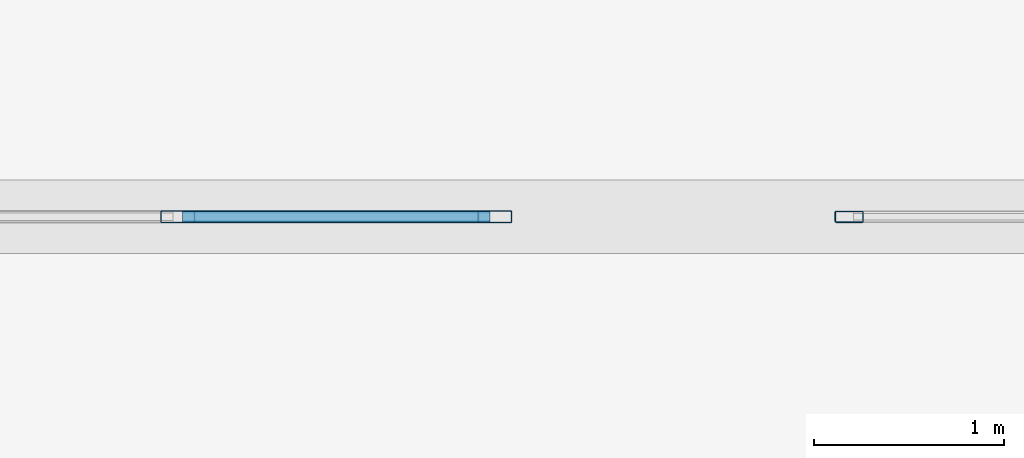
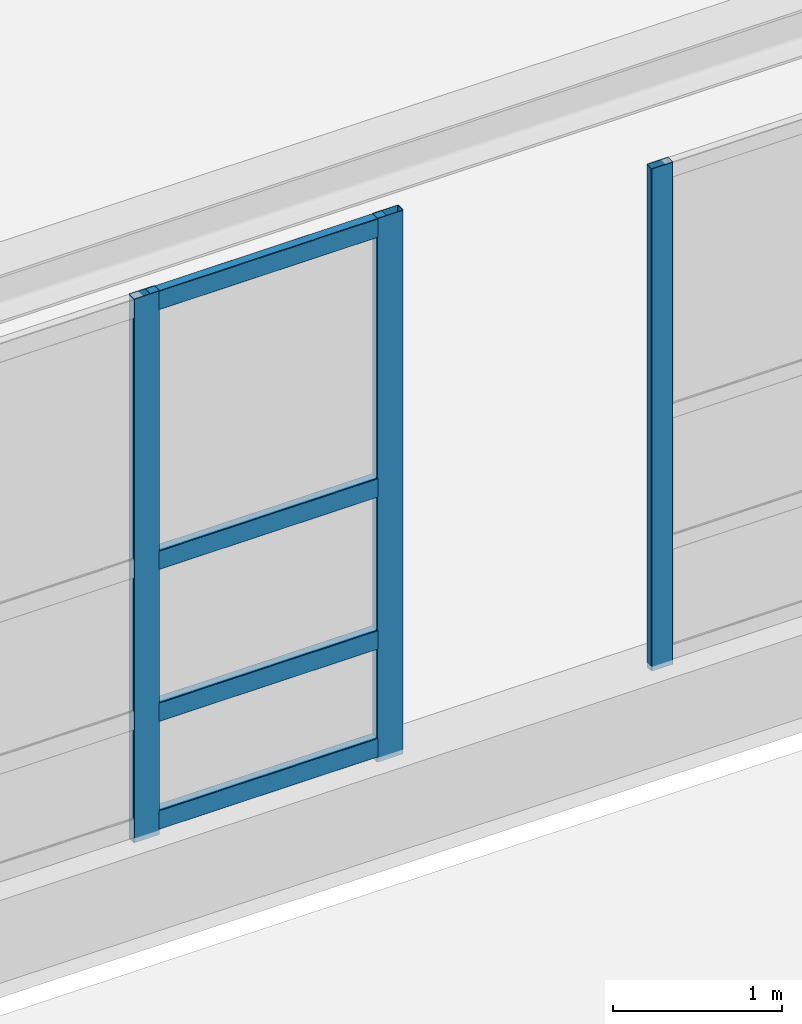
# One storey, part 50 of 197: 7 members, 2 elements without a shape of their own.
"""IFC4 building model written with IfcOpenShell, lengths in metres."""

from ifc_helpers import new_model, si_unit, derived_unit, direction, frame, origin, origin_2d, place, context, subcontext, project, spatial, hollow_rectangle, extrude, material, layer, layer_set, material_profile, profile_set, type_object, element, aggregate, save


model = new_model("IFC4")

# Units and contexts
model_context = context("Model", 3, precision=1e-05, world=origin(), true_north=direction((0.0, 1.0)))
body_context = subcontext(model_context, "Body", "Model", "MODEL_VIEW")
ifc_project = project(units=[si_unit("LENGTHUNIT", "METRE"), si_unit("AREAUNIT", "SQUARE_METRE"), si_unit("VOLUMEUNIT", "CUBIC_METRE"), si_unit("PLANEANGLEUNIT", "RADIAN"), si_unit("MASSUNIT", "GRAM", prefix="KILO"), derived_unit("THERMALTRANSMITTANCEUNIT", [(si_unit("POWERUNIT", "WATT"), 1), (si_unit("LENGTHUNIT", "METRE"), -2), (si_unit("THERMODYNAMICTEMPERATUREUNIT", "KELVIN"), -1)])], contexts=[model_context])

# Site, building, storey
site_placement = place(None, origin())
site = spatial("IfcSite", under=ifc_project, at=site_placement, CompositionType="ELEMENT")
building_placement = place(site_placement, origin())
building = spatial("IfcBuilding", under=site, at=building_placement, Name="Almenara Railside Exhibition Hall", CompositionType="ELEMENT")
storey_placement = place(building_placement, frame((0.0, 0.0, 5.39990234375)))
storey = spatial("IfcBuildingStorey", under=building, at=storey_placement, Name="L01", CompositionType="ELEMENT", Elevation=5.39990234375)

# Curtain wall, member
ifc_material_1 = material(Name="Bronze-anodised aluminium and low-E double glazing", Category="aluminium")
ifc_layer_1 = layer(ifc_material_1, 0.179931640625, Name="Bronze-anodised aluminium and low-E double glazing")
ifc_layer_set_1 = layer_set([ifc_layer_1], Name="Bronze-anodised aluminium and low-E double glazing")
curtain_wall_type_1 = type_object("IfcCurtainWallType", Name="Concourse Bridge Curtain Wall 3200x3600", PredefinedType="NOTDEFINED", material=ifc_layer_set_1)
curtain_wall_1_placement = place(storey_placement, origin())
curtain_wall_1 = element("IfcCurtainWall", 1, at=curtain_wall_1_placement, inside=storey, type_object=curtain_wall_type_1, Name="Curtain wall CW-PC3-129", PredefinedType="NOTDEFINED")
ifc_material_2 = material(Name="Bronze-anodised aluminium", Category="aluminium")
ifc_material_profile_1 = material_profile(ifc_material_2, hollow_rectangle(XDim=0.06005859375, YDim=0.14990234375, WallThickness=0.00341796875, InnerFilletRadius=0.00341796875, OuterFilletRadius=0.007080078125, at=origin_2d()), Name="ALU-MUL 60x150x3.5")
ifc_profile_set_1 = profile_set([ifc_material_profile_1], Name="Bronze-anodised aluminium")
member_type_1 = type_object("IfcMemberType", Name="Curtain Wall Mullion 60x150x3.5", PredefinedType="MULLION", material=ifc_profile_set_1)
member_1_placement = place(storey_placement, frame((96.22998046875, 36.0, 0.565185546875), z_axis=(0.0, 0.0, 1.0), x_axis=(0.0, 1.0, 0.0)))
member_1 = element("IfcMember", 2, at=member_1_placement, type_object=member_type_1, Name="CW-PC3-129 mullion 1", PredefinedType="MULLION", context=body_context, shape_type="SweptSolid", body=[
    extrude(hollow_rectangle(XDim=0.06005859375, YDim=0.14990234375, WallThickness=0.00341796875, InnerFilletRadius=0.00341796875, OuterFilletRadius=0.007080078125, at=origin_2d()), origin(), (0.0, 0.0, 1.0), 3.635009765625),
])
aggregate(curtain_wall_1, [member_1])

# Curtain wall, members
ifc_layer_2 = layer(ifc_material_1, 0.179931640625, Name="Bronze-anodised aluminium and low-E double glazing")
ifc_layer_set_2 = layer_set([ifc_layer_2], Name="Bronze-anodised aluminium and low-E double glazing")
curtain_wall_type_2 = type_object("IfcCurtainWallType", Name="Concourse Upper Portale Curtain Wall 3400x3900", PredefinedType="NOTDEFINED", material=ifc_layer_set_2)
curtain_wall_2_placement = place(storey_placement, origin())
curtain_wall_2 = element("IfcCurtainWall", 3, at=curtain_wall_2_placement, inside=storey, type_object=curtain_wall_type_2, Name="Curtain wall CW-PC2-128", PredefinedType="NOTDEFINED")
ifc_material_profile_2 = material_profile(ifc_material_2, hollow_rectangle(XDim=0.06494140625, YDim=0.179931640625, WallThickness=0.00390625, InnerFilletRadius=0.00390625, OuterFilletRadius=0.008056640625, at=origin_2d()), Name="ALU-MUL 65x180x4")
ifc_profile_set_2 = profile_set([ifc_material_profile_2], Name="Bronze-anodised aluminium")
member_type_2 = type_object("IfcMemberType", Name="Curtain Wall Mullion 65x180x4", PredefinedType="MULLION", material=ifc_profile_set_2)
member_2_placement = place(storey_placement, frame((92.699951171875, 36.0, 0.565185546875), z_axis=(0.0, 0.0, 1.0), x_axis=(0.0, 1.0, 0.0)))
member_2 = element("IfcMember", 4, at=member_2_placement, type_object=member_type_2, Name="CW-PC2-128 mullion 2", PredefinedType="MULLION", context=body_context, shape_type="SweptSolid", body=[
    extrude(hollow_rectangle(XDim=0.06494140625, YDim=0.179931640625, WallThickness=0.00390625, InnerFilletRadius=0.00390625, OuterFilletRadius=0.008056640625, at=origin_2d()), origin(), (0.0, 0.0, 1.0), 3.934814453125),
])
member_3_placement = place(storey_placement, frame((94.367431640625, 36.0, 0.565185546875), z_axis=(0.0, 0.0, 1.0), x_axis=(0.0, 1.0, 0.0)))
member_3 = element("IfcMember", 5, at=member_3_placement, type_object=member_type_2, Name="CW-PC2-128 mullion 3", PredefinedType="MULLION", context=body_context, shape_type="SweptSolid", body=[
    extrude(hollow_rectangle(XDim=0.06494140625, YDim=0.179931640625, WallThickness=0.00390625, InnerFilletRadius=0.00390625, OuterFilletRadius=0.008056640625, at=origin_2d()), origin(), (0.0, 0.0, 1.0), 3.934814453125),
])
ifc_material_profile_3 = material_profile(ifc_material_2, hollow_rectangle(XDim=0.06494140625, YDim=0.139892578125, WallThickness=0.00341796875, InnerFilletRadius=0.00341796875, OuterFilletRadius=0.007080078125, at=origin_2d()), Name="ALU-TRN 65x140x3.5")
ifc_profile_set_3 = profile_set([ifc_material_profile_3], Name="Bronze-anodised aluminium")
member_type_3 = type_object("IfcMemberType", Name="Curtain Wall Transom 65x140x3.5", PredefinedType="USERDEFINED", material=ifc_profile_set_3)
member_4_placement = place(storey_placement, frame((92.724609375, 36.0, 0.670166015625), z_axis=(1.0, 0.0, 0.0), x_axis=(0.0, 1.0, 0.0)))
member_4 = element("IfcMember", 6, at=member_4_placement, type_object=member_type_3, Name="CW-PC2-128 transom 2.1", ObjectType="TRANSOM", PredefinedType="USERDEFINED", context=body_context, shape_type="SweptSolid", body=[
    extrude(hollow_rectangle(XDim=0.06494140625, YDim=0.139892578125, WallThickness=0.00341796875, InnerFilletRadius=0.00341796875, OuterFilletRadius=0.007080078125, at=origin_2d()), origin(), (0.0, 0.0, 1.0), 1.618408203125),
])
member_5_placement = place(storey_placement, frame((92.724609375, 36.0, 1.4501953125), z_axis=(1.0, 0.0, 0.0), x_axis=(0.0, 1.0, 0.0)))
member_5 = element("IfcMember", 7, at=member_5_placement, type_object=member_type_3, Name="CW-PC2-128 transom 2.2", ObjectType="TRANSOM", PredefinedType="USERDEFINED", context=body_context, shape_type="SweptSolid", body=[
    extrude(hollow_rectangle(XDim=0.06494140625, YDim=0.139892578125, WallThickness=0.00341796875, InnerFilletRadius=0.00341796875, OuterFilletRadius=0.007080078125, at=origin_2d()), origin(), (0.0, 0.0, 1.0), 1.618408203125),
])
member_6_placement = place(storey_placement, frame((92.724609375, 36.0, 2.550048828125), z_axis=(1.0, 0.0, 0.0), x_axis=(0.0, 1.0, 0.0)))
member_6 = element("IfcMember", 8, at=member_6_placement, type_object=member_type_3, Name="CW-PC2-128 transom 2.3", ObjectType="TRANSOM", PredefinedType="USERDEFINED", context=body_context, shape_type="SweptSolid", body=[
    extrude(hollow_rectangle(XDim=0.06494140625, YDim=0.139892578125, WallThickness=0.00341796875, InnerFilletRadius=0.00341796875, OuterFilletRadius=0.007080078125, at=origin_2d()), origin(), (0.0, 0.0, 1.0), 1.618408203125),
])
member_7_placement = place(storey_placement, frame((92.724609375, 36.0, 4.43017578125), z_axis=(1.0, 0.0, 0.0), x_axis=(0.0, 1.0, 0.0)))
member_7 = element("IfcMember", 9, at=member_7_placement, type_object=member_type_3, Name="CW-PC2-128 transom 2.4", ObjectType="TRANSOM", PredefinedType="USERDEFINED", context=body_context, shape_type="SweptSolid", body=[
    extrude(hollow_rectangle(XDim=0.06494140625, YDim=0.139892578125, WallThickness=0.00341796875, InnerFilletRadius=0.00341796875, OuterFilletRadius=0.007080078125, at=origin_2d()), origin(), (0.0, 0.0, 1.0), 1.618408203125),
])
aggregate(curtain_wall_2, [member_2, member_3, member_4, member_5, member_6, member_7])

save(model, "model.ifc")
